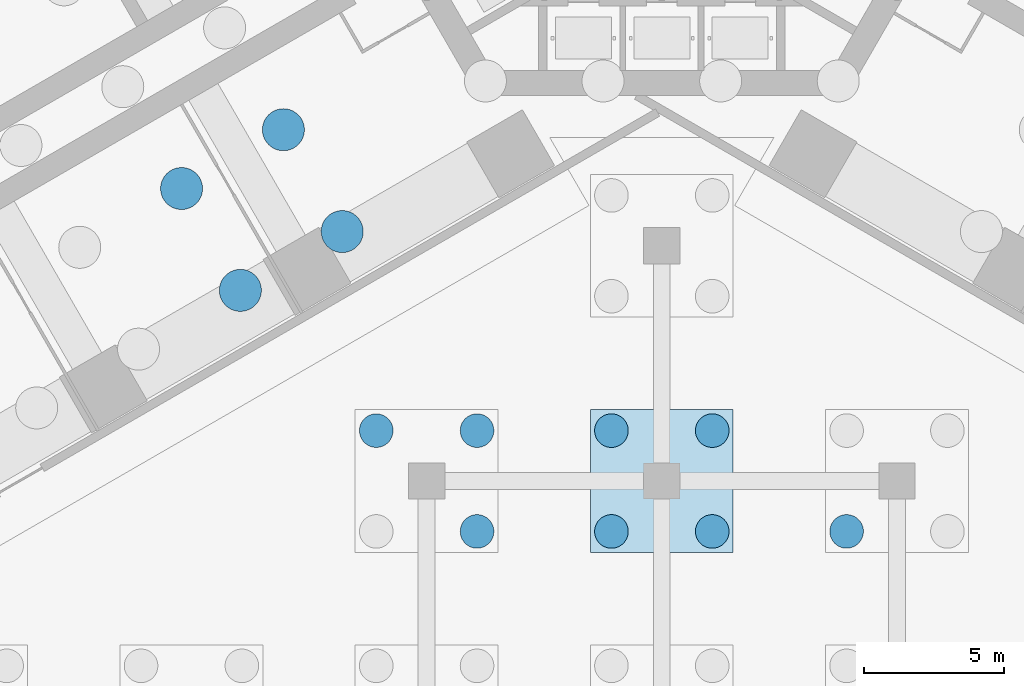
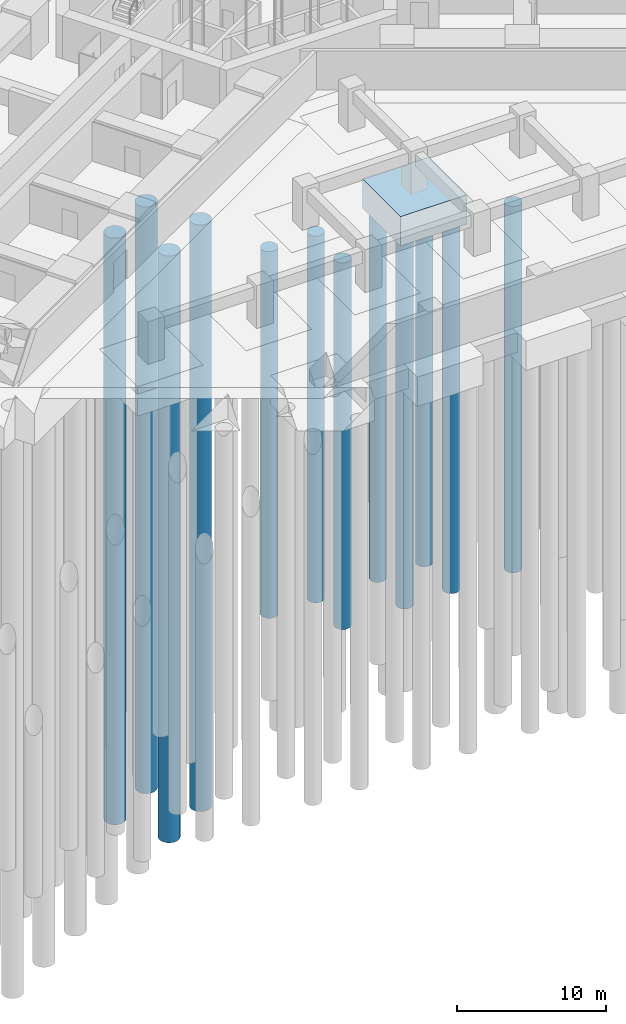
# One storey, part 9 of 73: 12 piles, 1 footing.
"""IFC4 building model written with IfcOpenShell, lengths in metres."""

from ifc_helpers import new_model, si_unit, direction, frame, origin, origin_2d, place, context, subcontext, project, spatial, polyline, circle, outline, extrude, material, material_profile, profile_set, type_object, element, save


model = new_model("IFC4")

# Units and contexts
model_context = context("Model", 3, precision=1e-05, world=origin(), true_north=direction((0.0, 1.0)))
body_context = subcontext(model_context, "Body", "Model", "MODEL_VIEW")
ifc_project = project(units=[si_unit("LENGTHUNIT", "METRE"), si_unit("AREAUNIT", "SQUARE_METRE"), si_unit("VOLUMEUNIT", "CUBIC_METRE"), si_unit("PLANEANGLEUNIT", "RADIAN"), si_unit("MASSUNIT", "GRAM", prefix="KILO")], contexts=[model_context])

# Site, building, storey
site_placement = place(None, origin())
site = spatial("IfcSite", under=ifc_project, at=site_placement, CompositionType="ELEMENT")
building_placement = place(site_placement, origin())
building = spatial("IfcBuilding", under=site, at=building_placement, Name="Impinga Residences", CompositionType="ELEMENT")
storey_placement = place(building_placement, frame((0.0, 0.0, -10.5)))
storey = spatial("IfcBuildingStorey", under=building, at=storey_placement, Name="B3", CompositionType="ELEMENT", Elevation=-10.5)

# Piles
ifc_material_1 = material(Name="Concrete C35/45", Category="concrete")
ifc_material_profile_1 = material_profile(ifc_material_1, circle(Radius=0.75, at=origin_2d()), Name="D1500")
ifc_profile_set_1 = profile_set([ifc_material_profile_1], Name="Concrete C35/45")
pile_type_1 = type_object("IfcPileType", Name="BP1 bored pile D1500", PredefinedType="BORED", material=ifc_profile_set_1)
pile_1_placement = place(storey_placement, frame((-15.052978515625, -18.390380859375, -4.0), z_axis=(0.0, 0.0, -1.0), x_axis=(1.0, 0.0, 0.0)))
element("IfcPile", 1, at=pile_1_placement, inside=storey, type_object=pile_type_1, Name="Raft pile BP1-029", PredefinedType="BORED", context=body_context, shape_type="SweptSolid", body=[
    extrude(outline(polyline([(0.75, 0.0), (0.746337890625, 0.073486328125), (0.735595703125, 0.146240234375), (0.7177734375, 0.2177734375), (0.69287109375, 0.287109375), (0.661376953125, 0.353515625), (0.62353515625, 0.416748046875), (0.579833984375, 0.475830078125), (0.5302734375, 0.5302734375), (0.475830078125, 0.579833984375), (0.416748046875, 0.62353515625), (0.353515625, 0.661376953125), (0.287109375, 0.69287109375), (0.2177734375, 0.7177734375), (0.146240234375, 0.735595703125), (0.073486328125, 0.746337890625), (0.0, 0.75), (-0.073486328125, 0.746337890625), (-0.146240234375, 0.735595703125), (-0.2177734375, 0.7177734375), (-0.287109375, 0.69287109375), (-0.353515625, 0.661376953125), (-0.416748046875, 0.62353515625), (-0.475830078125, 0.579833984375), (-0.5302734375, 0.5302734375), (-0.579833984375, 0.475830078125), (-0.62353515625, 0.416748046875), (-0.661376953125, 0.353515625), (-0.69287109375, 0.287109375), (-0.7177734375, 0.2177734375), (-0.735595703125, 0.146240234375), (-0.746337890625, 0.073486328125), (-0.75, 0.0), (-0.746337890625, -0.073486328125), (-0.735595703125, -0.146240234375), (-0.7177734375, -0.2177734375), (-0.69287109375, -0.287109375), (-0.661376953125, -0.353515625), (-0.62353515625, -0.416748046875), (-0.579833984375, -0.475830078125), (-0.5302734375, -0.5302734375), (-0.475830078125, -0.579833984375), (-0.416748046875, -0.62353515625), (-0.353515625, -0.661376953125), (-0.287109375, -0.69287109375), (-0.2177734375, -0.7177734375), (-0.146240234375, -0.735595703125), (-0.073486328125, -0.746337890625), (0.0, -0.75), (0.073486328125, -0.746337890625), (0.146240234375, -0.735595703125), (0.2177734375, -0.7177734375), (0.287109375, -0.69287109375), (0.353515625, -0.661376953125), (0.416748046875, -0.62353515625), (0.475830078125, -0.579833984375), (0.5302734375, -0.5302734375), (0.579833984375, -0.475830078125), (0.62353515625, -0.416748046875), (0.661376953125, -0.353515625), (0.69287109375, -0.287109375), (0.7177734375, -0.2177734375), (0.735595703125, -0.146240234375), (0.746337890625, -0.073486328125), (0.75, 0.0)])), origin(), (0.0, 0.0, 1.0), 48.0),
])
pile_2_placement = place(storey_placement, frame((-11.415771484375, -16.290283203125, -4.0), z_axis=(0.0, 0.0, -1.0), x_axis=(1.0, 0.0, 0.0)))
element("IfcPile", 2, at=pile_2_placement, inside=storey, type_object=pile_type_1, Name="Raft pile BP1-037", PredefinedType="BORED", context=body_context, shape_type="SweptSolid", body=[
    extrude(outline(polyline([(0.75, 0.0), (0.746337890625, 0.073486328125), (0.735595703125, 0.146240234375), (0.7177734375, 0.2177734375), (0.69287109375, 0.287109375), (0.661376953125, 0.353515625), (0.62353515625, 0.416748046875), (0.579833984375, 0.475830078125), (0.5302734375, 0.5302734375), (0.475830078125, 0.579833984375), (0.416748046875, 0.62353515625), (0.353515625, 0.661376953125), (0.287109375, 0.69287109375), (0.2177734375, 0.7177734375), (0.146240234375, 0.735595703125), (0.073486328125, 0.746337890625), (0.0, 0.75), (-0.073486328125, 0.746337890625), (-0.146240234375, 0.735595703125), (-0.2177734375, 0.7177734375), (-0.287109375, 0.69287109375), (-0.353515625, 0.661376953125), (-0.416748046875, 0.62353515625), (-0.475830078125, 0.579833984375), (-0.5302734375, 0.5302734375), (-0.579833984375, 0.475830078125), (-0.62353515625, 0.416748046875), (-0.661376953125, 0.353515625), (-0.69287109375, 0.287109375), (-0.7177734375, 0.2177734375), (-0.735595703125, 0.146240234375), (-0.746337890625, 0.073486328125), (-0.75, 0.0), (-0.746337890625, -0.073486328125), (-0.735595703125, -0.146240234375), (-0.7177734375, -0.2177734375), (-0.69287109375, -0.287109375), (-0.661376953125, -0.353515625), (-0.62353515625, -0.416748046875), (-0.579833984375, -0.475830078125), (-0.5302734375, -0.5302734375), (-0.475830078125, -0.579833984375), (-0.416748046875, -0.62353515625), (-0.353515625, -0.661376953125), (-0.287109375, -0.69287109375), (-0.2177734375, -0.7177734375), (-0.146240234375, -0.735595703125), (-0.073486328125, -0.746337890625), (0.0, -0.75), (0.073486328125, -0.746337890625), (0.146240234375, -0.735595703125), (0.2177734375, -0.7177734375), (0.287109375, -0.69287109375), (0.353515625, -0.661376953125), (0.416748046875, -0.62353515625), (0.475830078125, -0.579833984375), (0.5302734375, -0.5302734375), (0.579833984375, -0.475830078125), (0.62353515625, -0.416748046875), (0.661376953125, -0.353515625), (0.69287109375, -0.287109375), (0.7177734375, -0.2177734375), (0.735595703125, -0.146240234375), (0.746337890625, -0.073486328125), (0.75, 0.0)])), origin(), (0.0, 0.0, 1.0), 48.0),
])
pile_3_placement = place(storey_placement, frame((-17.153076171875, -14.753173828125, -4.0), z_axis=(0.0, 0.0, -1.0), x_axis=(1.0, 0.0, 0.0)))
element("IfcPile", 3, at=pile_3_placement, inside=storey, type_object=pile_type_1, Name="Raft pile BP1-043", PredefinedType="BORED", context=body_context, shape_type="SweptSolid", body=[
    extrude(outline(polyline([(0.75, 0.0), (0.746337890625, 0.073486328125), (0.735595703125, 0.146240234375), (0.7177734375, 0.2177734375), (0.69287109375, 0.287109375), (0.661376953125, 0.353515625), (0.62353515625, 0.416748046875), (0.579833984375, 0.475830078125), (0.5302734375, 0.5302734375), (0.475830078125, 0.579833984375), (0.416748046875, 0.62353515625), (0.353515625, 0.661376953125), (0.287109375, 0.69287109375), (0.2177734375, 0.7177734375), (0.146240234375, 0.735595703125), (0.073486328125, 0.746337890625), (0.0, 0.75), (-0.073486328125, 0.746337890625), (-0.146240234375, 0.735595703125), (-0.2177734375, 0.7177734375), (-0.287109375, 0.69287109375), (-0.353515625, 0.661376953125), (-0.416748046875, 0.62353515625), (-0.475830078125, 0.579833984375), (-0.5302734375, 0.5302734375), (-0.579833984375, 0.475830078125), (-0.62353515625, 0.416748046875), (-0.661376953125, 0.353515625), (-0.69287109375, 0.287109375), (-0.7177734375, 0.2177734375), (-0.735595703125, 0.146240234375), (-0.746337890625, 0.073486328125), (-0.75, 0.0), (-0.746337890625, -0.073486328125), (-0.735595703125, -0.146240234375), (-0.7177734375, -0.2177734375), (-0.69287109375, -0.287109375), (-0.661376953125, -0.353515625), (-0.62353515625, -0.416748046875), (-0.579833984375, -0.475830078125), (-0.5302734375, -0.5302734375), (-0.475830078125, -0.579833984375), (-0.416748046875, -0.62353515625), (-0.353515625, -0.661376953125), (-0.287109375, -0.69287109375), (-0.2177734375, -0.7177734375), (-0.146240234375, -0.735595703125), (-0.073486328125, -0.746337890625), (0.0, -0.75), (0.073486328125, -0.746337890625), (0.146240234375, -0.735595703125), (0.2177734375, -0.7177734375), (0.287109375, -0.69287109375), (0.353515625, -0.661376953125), (0.416748046875, -0.62353515625), (0.475830078125, -0.579833984375), (0.5302734375, -0.5302734375), (0.579833984375, -0.475830078125), (0.62353515625, -0.416748046875), (0.661376953125, -0.353515625), (0.69287109375, -0.287109375), (0.7177734375, -0.2177734375), (0.735595703125, -0.146240234375), (0.746337890625, -0.073486328125), (0.75, 0.0)])), origin(), (0.0, 0.0, 1.0), 48.0),
])
pile_4_placement = place(storey_placement, frame((-13.515869140625, -12.653076171875, -4.0), z_axis=(0.0, 0.0, -1.0), x_axis=(1.0, 0.0, 0.0)))
element("IfcPile", 4, at=pile_4_placement, inside=storey, type_object=pile_type_1, Name="Raft pile BP1-051", PredefinedType="BORED", context=body_context, shape_type="SweptSolid", body=[
    extrude(outline(polyline([(0.75, 0.0), (0.746337890625, 0.073486328125), (0.735595703125, 0.146240234375), (0.7177734375, 0.2177734375), (0.69287109375, 0.287109375), (0.661376953125, 0.353515625), (0.62353515625, 0.416748046875), (0.579833984375, 0.475830078125), (0.5302734375, 0.5302734375), (0.475830078125, 0.579833984375), (0.416748046875, 0.62353515625), (0.353515625, 0.661376953125), (0.287109375, 0.69287109375), (0.2177734375, 0.7177734375), (0.146240234375, 0.735595703125), (0.073486328125, 0.746337890625), (0.0, 0.75), (-0.073486328125, 0.746337890625), (-0.146240234375, 0.735595703125), (-0.2177734375, 0.7177734375), (-0.287109375, 0.69287109375), (-0.353515625, 0.661376953125), (-0.416748046875, 0.62353515625), (-0.475830078125, 0.579833984375), (-0.5302734375, 0.5302734375), (-0.579833984375, 0.475830078125), (-0.62353515625, 0.416748046875), (-0.661376953125, 0.353515625), (-0.69287109375, 0.287109375), (-0.7177734375, 0.2177734375), (-0.735595703125, 0.146240234375), (-0.746337890625, 0.073486328125), (-0.75, 0.0), (-0.746337890625, -0.073486328125), (-0.735595703125, -0.146240234375), (-0.7177734375, -0.2177734375), (-0.69287109375, -0.287109375), (-0.661376953125, -0.353515625), (-0.62353515625, -0.416748046875), (-0.579833984375, -0.475830078125), (-0.5302734375, -0.5302734375), (-0.475830078125, -0.579833984375), (-0.416748046875, -0.62353515625), (-0.353515625, -0.661376953125), (-0.287109375, -0.69287109375), (-0.2177734375, -0.7177734375), (-0.146240234375, -0.735595703125), (-0.073486328125, -0.746337890625), (0.0, -0.75), (0.073486328125, -0.746337890625), (0.146240234375, -0.735595703125), (0.2177734375, -0.7177734375), (0.287109375, -0.69287109375), (0.353515625, -0.661376953125), (0.416748046875, -0.62353515625), (0.475830078125, -0.579833984375), (0.5302734375, -0.5302734375), (0.579833984375, -0.475830078125), (0.62353515625, -0.416748046875), (0.661376953125, -0.353515625), (0.69287109375, -0.287109375), (0.7177734375, -0.2177734375), (0.735595703125, -0.146240234375), (0.746337890625, -0.073486328125), (0.75, 0.0)])), origin(), (0.0, 0.0, 1.0), 48.0),
])
ifc_material_profile_2 = material_profile(ifc_material_1, circle(Radius=0.60009765625, at=origin_2d()), Name="D1200")
ifc_profile_set_2 = profile_set([ifc_material_profile_2], Name="Concrete C35/45")
pile_type_2 = type_object("IfcPileType", Name="BP2 bored pile D1200", PredefinedType="BORED", material=ifc_profile_set_2)
pile_5_placement = place(storey_placement, frame((-6.60009765625, -27.0, -2.39990234375), z_axis=(0.0, 0.0, -1.0), x_axis=(1.0, 0.0, 0.0)))
element("IfcPile", 5, at=pile_5_placement, inside=storey, type_object=pile_type_2, Name="Cap pile BP2 6/C-2", PredefinedType="BORED", context=body_context, shape_type="SweptSolid", body=[
    extrude(outline(polyline([(0.60009765625, 0.0), (0.59716796875, 0.058837890625), (0.58837890625, 0.116943359375), (0.57421875, 0.174072265625), (0.554443359375, 0.2294921875), (0.529052734375, 0.282958984375), (0.498779296875, 0.333251953125), (0.4638671875, 0.380615234375), (0.42431640625, 0.42431640625), (0.380615234375, 0.4638671875), (0.333251953125, 0.498779296875), (0.282958984375, 0.529052734375), (0.2294921875, 0.554443359375), (0.174072265625, 0.57421875), (0.116943359375, 0.58837890625), (0.058837890625, 0.59716796875), (0.0, 0.60009765625), (-0.058837890625, 0.59716796875), (-0.116943359375, 0.58837890625), (-0.174072265625, 0.57421875), (-0.2294921875, 0.554443359375), (-0.282958984375, 0.529052734375), (-0.333251953125, 0.498779296875), (-0.380615234375, 0.4638671875), (-0.42431640625, 0.42431640625), (-0.4638671875, 0.380615234375), (-0.498779296875, 0.333251953125), (-0.529052734375, 0.282958984375), (-0.554443359375, 0.2294921875), (-0.57421875, 0.174072265625), (-0.58837890625, 0.116943359375), (-0.59716796875, 0.058837890625), (-0.60009765625, 0.0), (-0.59716796875, -0.058837890625), (-0.58837890625, -0.116943359375), (-0.57421875, -0.174072265625), (-0.554443359375, -0.2294921875), (-0.529052734375, -0.282958984375), (-0.498779296875, -0.333251953125), (-0.4638671875, -0.380615234375), (-0.42431640625, -0.42431640625), (-0.380615234375, -0.4638671875), (-0.333251953125, -0.498779296875), (-0.282958984375, -0.529052734375), (-0.2294921875, -0.554443359375), (-0.174072265625, -0.57421875), (-0.116943359375, -0.58837890625), (-0.058837890625, -0.59716796875), (0.0, -0.60009765625), (0.058837890625, -0.59716796875), (0.116943359375, -0.58837890625), (0.174072265625, -0.57421875), (0.2294921875, -0.554443359375), (0.282958984375, -0.529052734375), (0.333251953125, -0.498779296875), (0.380615234375, -0.4638671875), (0.42431640625, -0.42431640625), (0.4638671875, -0.380615234375), (0.498779296875, -0.333251953125), (0.529052734375, -0.282958984375), (0.554443359375, -0.2294921875), (0.57421875, -0.174072265625), (0.58837890625, -0.116943359375), (0.59716796875, -0.058837890625), (0.60009765625, 0.0)])), origin(), (0.0, 0.0, 1.0), 30.0),
])
pile_6_placement = place(storey_placement, frame((-6.60009765625, -23.39990234375, -2.39990234375), z_axis=(0.0, 0.0, -1.0), x_axis=(1.0, 0.0, 0.0)))
element("IfcPile", 6, at=pile_6_placement, inside=storey, type_object=pile_type_2, Name="Cap pile BP2 6/C-3", PredefinedType="BORED", context=body_context, shape_type="SweptSolid", body=[
    extrude(outline(polyline([(0.60009765625, 0.0), (0.59716796875, 0.058837890625), (0.58837890625, 0.116943359375), (0.57421875, 0.174072265625), (0.554443359375, 0.2294921875), (0.529052734375, 0.282958984375), (0.498779296875, 0.333251953125), (0.4638671875, 0.380615234375), (0.42431640625, 0.42431640625), (0.380615234375, 0.4638671875), (0.333251953125, 0.498779296875), (0.282958984375, 0.529052734375), (0.2294921875, 0.554443359375), (0.174072265625, 0.57421875), (0.116943359375, 0.58837890625), (0.058837890625, 0.59716796875), (0.0, 0.60009765625), (-0.058837890625, 0.59716796875), (-0.116943359375, 0.58837890625), (-0.174072265625, 0.57421875), (-0.2294921875, 0.554443359375), (-0.282958984375, 0.529052734375), (-0.333251953125, 0.498779296875), (-0.380615234375, 0.4638671875), (-0.42431640625, 0.42431640625), (-0.4638671875, 0.380615234375), (-0.498779296875, 0.333251953125), (-0.529052734375, 0.282958984375), (-0.554443359375, 0.2294921875), (-0.57421875, 0.174072265625), (-0.58837890625, 0.116943359375), (-0.59716796875, 0.058837890625), (-0.60009765625, 0.0), (-0.59716796875, -0.058837890625), (-0.58837890625, -0.116943359375), (-0.57421875, -0.174072265625), (-0.554443359375, -0.2294921875), (-0.529052734375, -0.282958984375), (-0.498779296875, -0.333251953125), (-0.4638671875, -0.380615234375), (-0.42431640625, -0.42431640625), (-0.380615234375, -0.4638671875), (-0.333251953125, -0.498779296875), (-0.282958984375, -0.529052734375), (-0.2294921875, -0.554443359375), (-0.174072265625, -0.57421875), (-0.116943359375, -0.58837890625), (-0.058837890625, -0.59716796875), (0.0, -0.60009765625), (0.058837890625, -0.59716796875), (0.116943359375, -0.58837890625), (0.174072265625, -0.57421875), (0.2294921875, -0.554443359375), (0.282958984375, -0.529052734375), (0.333251953125, -0.498779296875), (0.380615234375, -0.4638671875), (0.42431640625, -0.42431640625), (0.4638671875, -0.380615234375), (0.498779296875, -0.333251953125), (0.529052734375, -0.282958984375), (0.554443359375, -0.2294921875), (0.57421875, -0.174072265625), (0.58837890625, -0.116943359375), (0.59716796875, -0.058837890625), (0.60009765625, 0.0)])), origin(), (0.0, 0.0, 1.0), 30.0),
])
pile_7_placement = place(storey_placement, frame((-10.199951171875, -23.39990234375, -2.39990234375), z_axis=(0.0, 0.0, -1.0), x_axis=(1.0, 0.0, 0.0)))
element("IfcPile", 7, at=pile_7_placement, inside=storey, type_object=pile_type_2, Name="Cap pile BP2 6/C-4", PredefinedType="BORED", context=body_context, shape_type="SweptSolid", body=[
    extrude(outline(polyline([(0.60009765625, 0.0), (0.59716796875, 0.058837890625), (0.58837890625, 0.116943359375), (0.57421875, 0.174072265625), (0.554443359375, 0.2294921875), (0.529052734375, 0.282958984375), (0.498779296875, 0.333251953125), (0.4638671875, 0.380615234375), (0.42431640625, 0.42431640625), (0.380615234375, 0.4638671875), (0.333251953125, 0.498779296875), (0.282958984375, 0.529052734375), (0.2294921875, 0.554443359375), (0.174072265625, 0.57421875), (0.116943359375, 0.58837890625), (0.058837890625, 0.59716796875), (0.0, 0.60009765625), (-0.058837890625, 0.59716796875), (-0.116943359375, 0.58837890625), (-0.174072265625, 0.57421875), (-0.2294921875, 0.554443359375), (-0.282958984375, 0.529052734375), (-0.333251953125, 0.498779296875), (-0.380615234375, 0.4638671875), (-0.42431640625, 0.42431640625), (-0.4638671875, 0.380615234375), (-0.498779296875, 0.333251953125), (-0.529052734375, 0.282958984375), (-0.554443359375, 0.2294921875), (-0.57421875, 0.174072265625), (-0.58837890625, 0.116943359375), (-0.59716796875, 0.058837890625), (-0.60009765625, 0.0), (-0.59716796875, -0.058837890625), (-0.58837890625, -0.116943359375), (-0.57421875, -0.174072265625), (-0.554443359375, -0.2294921875), (-0.529052734375, -0.282958984375), (-0.498779296875, -0.333251953125), (-0.4638671875, -0.380615234375), (-0.42431640625, -0.42431640625), (-0.380615234375, -0.4638671875), (-0.333251953125, -0.498779296875), (-0.282958984375, -0.529052734375), (-0.2294921875, -0.554443359375), (-0.174072265625, -0.57421875), (-0.116943359375, -0.58837890625), (-0.058837890625, -0.59716796875), (0.0, -0.60009765625), (0.058837890625, -0.59716796875), (0.116943359375, -0.58837890625), (0.174072265625, -0.57421875), (0.2294921875, -0.554443359375), (0.282958984375, -0.529052734375), (0.333251953125, -0.498779296875), (0.380615234375, -0.4638671875), (0.42431640625, -0.42431640625), (0.4638671875, -0.380615234375), (0.498779296875, -0.333251953125), (0.529052734375, -0.282958984375), (0.554443359375, -0.2294921875), (0.57421875, -0.174072265625), (0.58837890625, -0.116943359375), (0.59716796875, -0.058837890625), (0.60009765625, 0.0)])), origin(), (0.0, 0.0, 1.0), 30.0),
])
pile_8_placement = place(storey_placement, frame((-1.800048828125, -27.0, -2.39990234375), z_axis=(0.0, 0.0, -1.0), x_axis=(1.0, 0.0, 0.0)))
element("IfcPile", 8, at=pile_8_placement, inside=storey, type_object=pile_type_2, Name="Cap pile BP2 7/C-1", PredefinedType="BORED", context=body_context, shape_type="SweptSolid", body=[
    extrude(outline(polyline([(0.60009765625, 0.0), (0.59716796875, 0.058837890625), (0.58837890625, 0.116943359375), (0.57421875, 0.174072265625), (0.554443359375, 0.2294921875), (0.529052734375, 0.282958984375), (0.498779296875, 0.333251953125), (0.4638671875, 0.380615234375), (0.42431640625, 0.42431640625), (0.380615234375, 0.4638671875), (0.333251953125, 0.498779296875), (0.282958984375, 0.529052734375), (0.2294921875, 0.554443359375), (0.174072265625, 0.57421875), (0.116943359375, 0.58837890625), (0.058837890625, 0.59716796875), (0.0, 0.60009765625), (-0.058837890625, 0.59716796875), (-0.116943359375, 0.58837890625), (-0.174072265625, 0.57421875), (-0.2294921875, 0.554443359375), (-0.282958984375, 0.529052734375), (-0.333251953125, 0.498779296875), (-0.380615234375, 0.4638671875), (-0.42431640625, 0.42431640625), (-0.4638671875, 0.380615234375), (-0.498779296875, 0.333251953125), (-0.529052734375, 0.282958984375), (-0.554443359375, 0.2294921875), (-0.57421875, 0.174072265625), (-0.58837890625, 0.116943359375), (-0.59716796875, 0.058837890625), (-0.60009765625, 0.0), (-0.59716796875, -0.058837890625), (-0.58837890625, -0.116943359375), (-0.57421875, -0.174072265625), (-0.554443359375, -0.2294921875), (-0.529052734375, -0.282958984375), (-0.498779296875, -0.333251953125), (-0.4638671875, -0.380615234375), (-0.42431640625, -0.42431640625), (-0.380615234375, -0.4638671875), (-0.333251953125, -0.498779296875), (-0.282958984375, -0.529052734375), (-0.2294921875, -0.554443359375), (-0.174072265625, -0.57421875), (-0.116943359375, -0.58837890625), (-0.058837890625, -0.59716796875), (0.0, -0.60009765625), (0.058837890625, -0.59716796875), (0.116943359375, -0.58837890625), (0.174072265625, -0.57421875), (0.2294921875, -0.554443359375), (0.282958984375, -0.529052734375), (0.333251953125, -0.498779296875), (0.380615234375, -0.4638671875), (0.42431640625, -0.42431640625), (0.4638671875, -0.380615234375), (0.498779296875, -0.333251953125), (0.529052734375, -0.282958984375), (0.554443359375, -0.2294921875), (0.57421875, -0.174072265625), (0.58837890625, -0.116943359375), (0.59716796875, -0.058837890625), (0.60009765625, 0.0)])), origin(), (0.0, 0.0, 1.0), 30.0),
])
pile_9_placement = place(storey_placement, frame((1.800048828125, -27.0, -2.39990234375), z_axis=(0.0, 0.0, -1.0), x_axis=(1.0, 0.0, 0.0)))
element("IfcPile", 9, at=pile_9_placement, inside=storey, type_object=pile_type_2, Name="Cap pile BP2 7/C-2", PredefinedType="BORED", context=body_context, shape_type="SweptSolid", body=[
    extrude(outline(polyline([(0.60009765625, 0.0), (0.59716796875, 0.058837890625), (0.58837890625, 0.116943359375), (0.57421875, 0.174072265625), (0.554443359375, 0.2294921875), (0.529052734375, 0.282958984375), (0.498779296875, 0.333251953125), (0.4638671875, 0.380615234375), (0.42431640625, 0.42431640625), (0.380615234375, 0.4638671875), (0.333251953125, 0.498779296875), (0.282958984375, 0.529052734375), (0.2294921875, 0.554443359375), (0.174072265625, 0.57421875), (0.116943359375, 0.58837890625), (0.058837890625, 0.59716796875), (0.0, 0.60009765625), (-0.058837890625, 0.59716796875), (-0.116943359375, 0.58837890625), (-0.174072265625, 0.57421875), (-0.2294921875, 0.554443359375), (-0.282958984375, 0.529052734375), (-0.333251953125, 0.498779296875), (-0.380615234375, 0.4638671875), (-0.42431640625, 0.42431640625), (-0.4638671875, 0.380615234375), (-0.498779296875, 0.333251953125), (-0.529052734375, 0.282958984375), (-0.554443359375, 0.2294921875), (-0.57421875, 0.174072265625), (-0.58837890625, 0.116943359375), (-0.59716796875, 0.058837890625), (-0.60009765625, 0.0), (-0.59716796875, -0.058837890625), (-0.58837890625, -0.116943359375), (-0.57421875, -0.174072265625), (-0.554443359375, -0.2294921875), (-0.529052734375, -0.282958984375), (-0.498779296875, -0.333251953125), (-0.4638671875, -0.380615234375), (-0.42431640625, -0.42431640625), (-0.380615234375, -0.4638671875), (-0.333251953125, -0.498779296875), (-0.282958984375, -0.529052734375), (-0.2294921875, -0.554443359375), (-0.174072265625, -0.57421875), (-0.116943359375, -0.58837890625), (-0.058837890625, -0.59716796875), (0.0, -0.60009765625), (0.058837890625, -0.59716796875), (0.116943359375, -0.58837890625), (0.174072265625, -0.57421875), (0.2294921875, -0.554443359375), (0.282958984375, -0.529052734375), (0.333251953125, -0.498779296875), (0.380615234375, -0.4638671875), (0.42431640625, -0.42431640625), (0.4638671875, -0.380615234375), (0.498779296875, -0.333251953125), (0.529052734375, -0.282958984375), (0.554443359375, -0.2294921875), (0.57421875, -0.174072265625), (0.58837890625, -0.116943359375), (0.59716796875, -0.058837890625), (0.60009765625, 0.0)])), origin(), (0.0, 0.0, 1.0), 30.0),
])
pile_10_placement = place(storey_placement, frame((1.800048828125, -23.39990234375, -2.39990234375), z_axis=(0.0, 0.0, -1.0), x_axis=(1.0, 0.0, 0.0)))
element("IfcPile", 10, at=pile_10_placement, inside=storey, type_object=pile_type_2, Name="Cap pile BP2 7/C-3", PredefinedType="BORED", context=body_context, shape_type="SweptSolid", body=[
    extrude(outline(polyline([(0.60009765625, 0.0), (0.59716796875, 0.058837890625), (0.58837890625, 0.116943359375), (0.57421875, 0.174072265625), (0.554443359375, 0.2294921875), (0.529052734375, 0.282958984375), (0.498779296875, 0.333251953125), (0.4638671875, 0.380615234375), (0.42431640625, 0.42431640625), (0.380615234375, 0.4638671875), (0.333251953125, 0.498779296875), (0.282958984375, 0.529052734375), (0.2294921875, 0.554443359375), (0.174072265625, 0.57421875), (0.116943359375, 0.58837890625), (0.058837890625, 0.59716796875), (0.0, 0.60009765625), (-0.058837890625, 0.59716796875), (-0.116943359375, 0.58837890625), (-0.174072265625, 0.57421875), (-0.2294921875, 0.554443359375), (-0.282958984375, 0.529052734375), (-0.333251953125, 0.498779296875), (-0.380615234375, 0.4638671875), (-0.42431640625, 0.42431640625), (-0.4638671875, 0.380615234375), (-0.498779296875, 0.333251953125), (-0.529052734375, 0.282958984375), (-0.554443359375, 0.2294921875), (-0.57421875, 0.174072265625), (-0.58837890625, 0.116943359375), (-0.59716796875, 0.058837890625), (-0.60009765625, 0.0), (-0.59716796875, -0.058837890625), (-0.58837890625, -0.116943359375), (-0.57421875, -0.174072265625), (-0.554443359375, -0.2294921875), (-0.529052734375, -0.282958984375), (-0.498779296875, -0.333251953125), (-0.4638671875, -0.380615234375), (-0.42431640625, -0.42431640625), (-0.380615234375, -0.4638671875), (-0.333251953125, -0.498779296875), (-0.282958984375, -0.529052734375), (-0.2294921875, -0.554443359375), (-0.174072265625, -0.57421875), (-0.116943359375, -0.58837890625), (-0.058837890625, -0.59716796875), (0.0, -0.60009765625), (0.058837890625, -0.59716796875), (0.116943359375, -0.58837890625), (0.174072265625, -0.57421875), (0.2294921875, -0.554443359375), (0.282958984375, -0.529052734375), (0.333251953125, -0.498779296875), (0.380615234375, -0.4638671875), (0.42431640625, -0.42431640625), (0.4638671875, -0.380615234375), (0.498779296875, -0.333251953125), (0.529052734375, -0.282958984375), (0.554443359375, -0.2294921875), (0.57421875, -0.174072265625), (0.58837890625, -0.116943359375), (0.59716796875, -0.058837890625), (0.60009765625, 0.0)])), origin(), (0.0, 0.0, 1.0), 30.0),
])
pile_11_placement = place(storey_placement, frame((-1.800048828125, -23.39990234375, -2.39990234375), z_axis=(0.0, 0.0, -1.0), x_axis=(1.0, 0.0, 0.0)))
element("IfcPile", 11, at=pile_11_placement, inside=storey, type_object=pile_type_2, Name="Cap pile BP2 7/C-4", PredefinedType="BORED", context=body_context, shape_type="SweptSolid", body=[
    extrude(outline(polyline([(0.60009765625, 0.0), (0.59716796875, 0.058837890625), (0.58837890625, 0.116943359375), (0.57421875, 0.174072265625), (0.554443359375, 0.2294921875), (0.529052734375, 0.282958984375), (0.498779296875, 0.333251953125), (0.4638671875, 0.380615234375), (0.42431640625, 0.42431640625), (0.380615234375, 0.4638671875), (0.333251953125, 0.498779296875), (0.282958984375, 0.529052734375), (0.2294921875, 0.554443359375), (0.174072265625, 0.57421875), (0.116943359375, 0.58837890625), (0.058837890625, 0.59716796875), (0.0, 0.60009765625), (-0.058837890625, 0.59716796875), (-0.116943359375, 0.58837890625), (-0.174072265625, 0.57421875), (-0.2294921875, 0.554443359375), (-0.282958984375, 0.529052734375), (-0.333251953125, 0.498779296875), (-0.380615234375, 0.4638671875), (-0.42431640625, 0.42431640625), (-0.4638671875, 0.380615234375), (-0.498779296875, 0.333251953125), (-0.529052734375, 0.282958984375), (-0.554443359375, 0.2294921875), (-0.57421875, 0.174072265625), (-0.58837890625, 0.116943359375), (-0.59716796875, 0.058837890625), (-0.60009765625, 0.0), (-0.59716796875, -0.058837890625), (-0.58837890625, -0.116943359375), (-0.57421875, -0.174072265625), (-0.554443359375, -0.2294921875), (-0.529052734375, -0.282958984375), (-0.498779296875, -0.333251953125), (-0.4638671875, -0.380615234375), (-0.42431640625, -0.42431640625), (-0.380615234375, -0.4638671875), (-0.333251953125, -0.498779296875), (-0.282958984375, -0.529052734375), (-0.2294921875, -0.554443359375), (-0.174072265625, -0.57421875), (-0.116943359375, -0.58837890625), (-0.058837890625, -0.59716796875), (0.0, -0.60009765625), (0.058837890625, -0.59716796875), (0.116943359375, -0.58837890625), (0.174072265625, -0.57421875), (0.2294921875, -0.554443359375), (0.282958984375, -0.529052734375), (0.333251953125, -0.498779296875), (0.380615234375, -0.4638671875), (0.42431640625, -0.42431640625), (0.4638671875, -0.380615234375), (0.498779296875, -0.333251953125), (0.529052734375, -0.282958984375), (0.554443359375, -0.2294921875), (0.57421875, -0.174072265625), (0.58837890625, -0.116943359375), (0.59716796875, -0.058837890625), (0.60009765625, 0.0)])), origin(), (0.0, 0.0, 1.0), 30.0),
])
pile_12_placement = place(storey_placement, frame((6.60009765625, -27.0, -2.39990234375), z_axis=(0.0, 0.0, -1.0), x_axis=(1.0, 0.0, 0.0)))
element("IfcPile", 12, at=pile_12_placement, inside=storey, type_object=pile_type_2, Name="Cap pile BP2 8/C-1", PredefinedType="BORED", context=body_context, shape_type="SweptSolid", body=[
    extrude(outline(polyline([(0.60009765625, 0.0), (0.59716796875, 0.058837890625), (0.58837890625, 0.116943359375), (0.57421875, 0.174072265625), (0.554443359375, 0.2294921875), (0.529052734375, 0.282958984375), (0.498779296875, 0.333251953125), (0.4638671875, 0.380615234375), (0.42431640625, 0.42431640625), (0.380615234375, 0.4638671875), (0.333251953125, 0.498779296875), (0.282958984375, 0.529052734375), (0.2294921875, 0.554443359375), (0.174072265625, 0.57421875), (0.116943359375, 0.58837890625), (0.058837890625, 0.59716796875), (0.0, 0.60009765625), (-0.058837890625, 0.59716796875), (-0.116943359375, 0.58837890625), (-0.174072265625, 0.57421875), (-0.2294921875, 0.554443359375), (-0.282958984375, 0.529052734375), (-0.333251953125, 0.498779296875), (-0.380615234375, 0.4638671875), (-0.42431640625, 0.42431640625), (-0.4638671875, 0.380615234375), (-0.498779296875, 0.333251953125), (-0.529052734375, 0.282958984375), (-0.554443359375, 0.2294921875), (-0.57421875, 0.174072265625), (-0.58837890625, 0.116943359375), (-0.59716796875, 0.058837890625), (-0.60009765625, 0.0), (-0.59716796875, -0.058837890625), (-0.58837890625, -0.116943359375), (-0.57421875, -0.174072265625), (-0.554443359375, -0.2294921875), (-0.529052734375, -0.282958984375), (-0.498779296875, -0.333251953125), (-0.4638671875, -0.380615234375), (-0.42431640625, -0.42431640625), (-0.380615234375, -0.4638671875), (-0.333251953125, -0.498779296875), (-0.282958984375, -0.529052734375), (-0.2294921875, -0.554443359375), (-0.174072265625, -0.57421875), (-0.116943359375, -0.58837890625), (-0.058837890625, -0.59716796875), (0.0, -0.60009765625), (0.058837890625, -0.59716796875), (0.116943359375, -0.58837890625), (0.174072265625, -0.57421875), (0.2294921875, -0.554443359375), (0.282958984375, -0.529052734375), (0.333251953125, -0.498779296875), (0.380615234375, -0.4638671875), (0.42431640625, -0.42431640625), (0.4638671875, -0.380615234375), (0.498779296875, -0.333251953125), (0.529052734375, -0.282958984375), (0.554443359375, -0.2294921875), (0.57421875, -0.174072265625), (0.58837890625, -0.116943359375), (0.59716796875, -0.058837890625), (0.60009765625, 0.0)])), origin(), (0.0, 0.0, 1.0), 30.0),
])

# Footing
ifc_material_2 = material(Name="Concrete C45/55", Category="concrete")
footing_type = type_object("IfcFootingType", Name="PC4 four-pile cap 5100 square 2400 deep", PredefinedType="PILE_CAP", material=ifc_material_2)
footing_placement = place(storey_placement, frame((0.0, 0.0, -2.39990234375)))
element("IfcFooting", 13, at=footing_placement, inside=storey, type_object=footing_type, Name="Pile cap PC4 7/C", PredefinedType="PILE_CAP", context=body_context, shape_type="SweptSolid", body=[
    extrude(outline(polyline([(2.550048828125, -27.75), (2.550048828125, -22.64990234375), (-2.550048828125, -22.64990234375), (-2.550048828125, -27.75), (2.550048828125, -27.75)])), origin(), (0.0, 0.0, 1.0), 2.39990234375),
])

save(model, "model.ifc")
